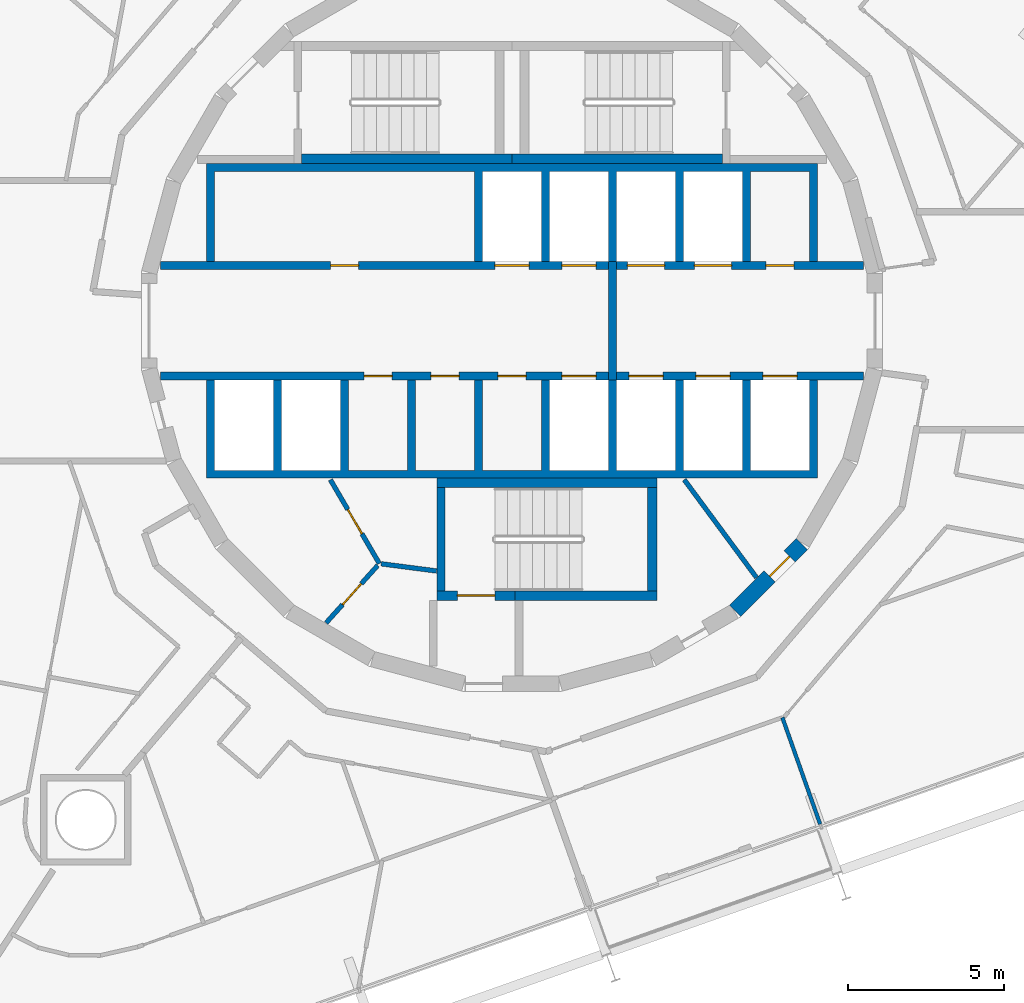
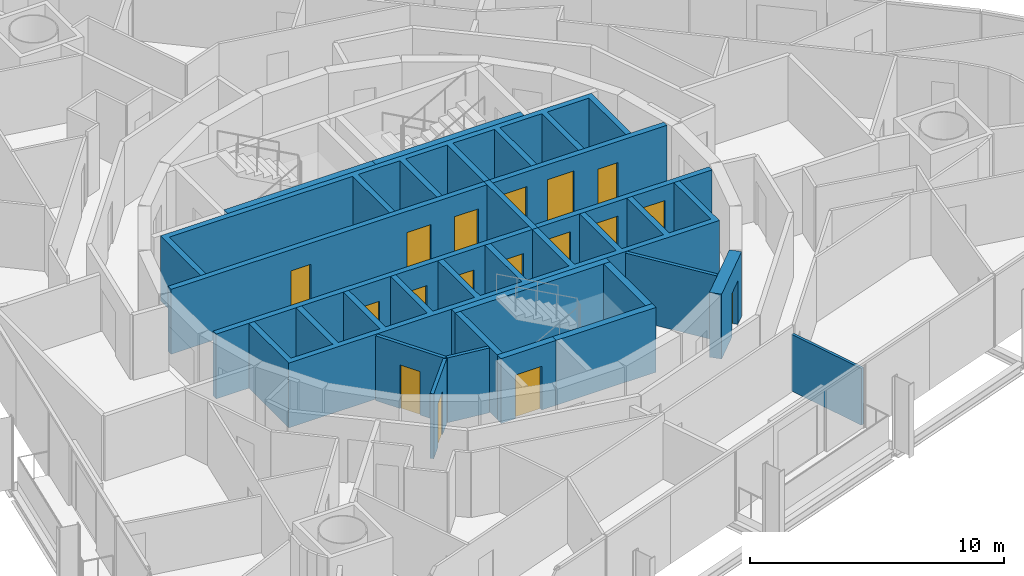
# One storey, part 12 of 17: 20 walls, 17 doors, 17 openings.
"""IFC4 building model written with IfcOpenShell, lengths in metres."""

from ifc_helpers import new_model, si_unit, direction, frame, frame_2d, origin, place, context, subcontext, project, spatial, polyline, rectangle, outline, extrude, material, layer, layer_set, type_object, element, fill, save


model = new_model("IFC4")

# Units and contexts
model_context = context("Model", 3, precision=1e-05, world=origin(), true_north=direction((0.0, 1.0)))
body_context = subcontext(model_context, "Body", "Model", "MODEL_VIEW")
ifc_project = project(units=[si_unit("LENGTHUNIT", "METRE"), si_unit("AREAUNIT", "SQUARE_METRE"), si_unit("VOLUMEUNIT", "CUBIC_METRE"), si_unit("PLANEANGLEUNIT", "RADIAN"), si_unit("MASSUNIT", "GRAM", prefix="KILO")], contexts=[model_context])

# Site, building, storey
site_placement = place(None, origin())
site = spatial("IfcSite", under=ifc_project, at=site_placement, CompositionType="ELEMENT")
building_placement = place(site_placement, origin())
building = spatial("IfcBuilding", under=site, at=building_placement, Name="Spindle Arch Residences", CompositionType="ELEMENT")
storey_placement = place(building_placement, frame((0.0, 0.0, 155.199951171875)))
storey = spatial("IfcBuildingStorey", under=building, at=storey_placement, Name="L38", CompositionType="ELEMENT", Elevation=155.199951171875)

# Wall, opening, door
ifc_material_1 = material(Name="Concrete C50/60", Category="concrete")
ifc_layer_1 = layer(ifc_material_1, 0.5)
ifc_layer_set_1 = layer_set([ifc_layer_1], Name="Core outline wall 500")
wall_type_1 = type_object("IfcWallType", Name="Core outline wall 500", PredefinedType="SHEAR", material=ifc_layer_set_1)
wall_1_placement = place(storey_placement, frame((7.163818359375, -9.30810546875, 0.0), z_axis=(0.0, 0.0, 1.0), x_axis=(0.707106781187, 0.707106781187, 0.0)))
wall_1 = element("IfcWall", 1, at=wall_1_placement, inside=storey, type_object=wall_type_1, Name="Core outline wall 3", PredefinedType="SHEAR", context=body_context, shape_type="SweptSolid", body=[
    extrude(rectangle(XDim=3.032470703125, YDim=0.5, at=frame_2d((1.51611328125, 0.0))), origin(), (0.0, 0.0, 1.0), 3.1201171875),
])
opening_1_placement = place(wall_1_placement, frame((1.56640625, 0.0, 0.0)))
opening_1 = element("IfcOpeningElement", 2, at=opening_1_placement, cuts=wall_1, Name="Opening R4A1-WD09", PredefinedType="OPENING", context=body_context, shape_type="SweptSolid", body=[
    extrude(rectangle(XDim=0.89990234375, YDim=2.10009765625, at=frame_2d((0.449951171875, 1.050048828125))), frame((0.0, 0.260009765625, 0.0), z_axis=(0.0, -1.0, 0.0), x_axis=(1.0, 0.0, 0.0)), (0.0, 0.0, 1.0), 0.52001953125),
])
ifc_material_2 = material(Name="Steel, fire-resisting door", Category="steel")
door_type_1 = type_object("IfcDoorType", Name="Service room door 900x2100", OperationType="SINGLE_SWING_LEFT", PredefinedType="DOOR", material=ifc_material_2)
door_1_placement = place(opening_1_placement, origin())
door_1 = element("IfcDoor", 3, at=door_1_placement, inside=storey, type_object=door_type_1, Name="Service room door R4A1-WD09", OperationType="SINGLE_SWING_LEFT", OverallHeight=2.10009765625, OverallWidth=0.89990234375, PredefinedType="DOOR", context=body_context, shape_type="SweptSolid", body=[
    extrude(rectangle(XDim=0.89990234375, YDim=2.10009765625, at=frame_2d((0.449951171875, 1.050048828125))), frame((0.0, 0.02490234375, 0.0), z_axis=(0.0, -1.0, 0.0), x_axis=(1.0, 0.0, 0.0)), (0.0, 0.0, 1.0), 0.050048828125),
])
fill(opening_1, door_1)

# Wall, openings, doors
ifc_material_3 = material(Name="Concrete C40/50", Category="concrete")
ifc_layer_2 = layer(ifc_material_3, 0.25)
ifc_layer_set_2 = layer_set([ifc_layer_2], Name="Fire-lift lobby wall 250")
wall_type_2 = type_object("IfcWallType", Name="Fire-lift lobby wall 250", PredefinedType="SHEAR", material=ifc_layer_set_2)
wall_2_placement = place(storey_placement, frame((3.35009765625, 1.77490234375, 0.0), z_axis=(0.0, 0.0, 1.0), x_axis=(1.0, 0.0, 0.0)))
wall_2 = element("IfcWall", 4, at=wall_2_placement, inside=storey, type_object=wall_type_2, Name="Lift shaft front wall NE", PredefinedType="SHEAR", context=body_context, shape_type="SweptSolid", body=[
    extrude(rectangle(XDim=7.929931640625, YDim=0.25, at=frame_2d((3.96484375, 0.0))), origin(), (0.0, 0.0, 1.0), 3.1201171875),
])
opening_2_placement = place(wall_2_placement, frame((0.35009765625, 0.0, 0.0)))
opening_2 = element("IfcOpeningElement", 5, at=opening_2_placement, cuts=wall_2, Name="Opening R4A1-SLD01", PredefinedType="OPENING", context=body_context, shape_type="SweptSolid", body=[
    extrude(rectangle(XDim=1.199951171875, YDim=2.39990234375, at=frame_2d((0.60009765625, 1.199951171875))), frame((0.0, 0.135009765625, 0.0), z_axis=(0.0, -1.0, 0.0), x_axis=(1.0, 0.0, 0.0)), (0.0, 0.0, 1.0), 0.27001953125),
])
opening_3_placement = place(wall_2_placement, frame((2.5, 0.0, 0.0)))
opening_3 = element("IfcOpeningElement", 6, at=opening_3_placement, cuts=wall_2, Name="Opening R4A1-SLD02", PredefinedType="OPENING", context=body_context, shape_type="SweptSolid", body=[
    extrude(rectangle(XDim=1.199951171875, YDim=2.39990234375, at=frame_2d((0.60009765625, 1.199951171875))), frame((0.0, 0.135009765625, 0.0), z_axis=(0.0, -1.0, 0.0), x_axis=(1.0, 0.0, 0.0)), (0.0, 0.0, 1.0), 0.27001953125),
])
opening_4_placement = place(wall_2_placement, frame((4.800048828125, 0.0, 0.0)))
opening_4 = element("IfcOpeningElement", 7, at=opening_4_placement, cuts=wall_2, Name="Opening R4A1-WD02", PredefinedType="OPENING", context=body_context, shape_type="SweptSolid", body=[
    extrude(rectangle(XDim=0.89990234375, YDim=2.10009765625, at=frame_2d((0.449951171875, 1.050048828125))), frame((0.0, 0.135009765625, 0.0), z_axis=(0.0, -1.0, 0.0), x_axis=(1.0, 0.0, 0.0)), (0.0, 0.0, 1.0), 0.27001953125),
])
ifc_material_4 = material(Name="Steel, fire-resisting landing door", Category="steel")
door_type_2 = type_object("IfcDoorType", Name="Service lift landing door 1200x2400", OperationType="DOUBLE_DOOR_SLIDING", PredefinedType="DOOR", material=ifc_material_4)
door_2_placement = place(opening_2_placement, origin())
door_2 = element("IfcDoor", 8, at=door_2_placement, inside=storey, type_object=door_type_2, Name="Service lift landing door R4A1-SLD01", OperationType="DOUBLE_DOOR_SLIDING", OverallHeight=2.39990234375, OverallWidth=1.199951171875, PredefinedType="DOOR", context=body_context, shape_type="SweptSolid", body=[
    extrude(rectangle(XDim=1.199951171875, YDim=2.39990234375, at=frame_2d((0.60009765625, 1.199951171875))), frame((0.0, 0.02490234375, 0.0), z_axis=(0.0, -1.0, 0.0), x_axis=(1.0, 0.0, 0.0)), (0.0, 0.0, 1.0), 0.050048828125),
])
fill(opening_2, door_2)
door_3_placement = place(opening_3_placement, origin())
door_3 = element("IfcDoor", 9, at=door_3_placement, inside=storey, type_object=door_type_2, Name="Service lift landing door R4A1-SLD02", OperationType="DOUBLE_DOOR_SLIDING", OverallHeight=2.39990234375, OverallWidth=1.199951171875, PredefinedType="DOOR", context=body_context, shape_type="SweptSolid", body=[
    extrude(rectangle(XDim=1.199951171875, YDim=2.39990234375, at=frame_2d((0.60009765625, 1.199951171875))), frame((0.0, 0.02490234375, 0.0), z_axis=(0.0, -1.0, 0.0), x_axis=(1.0, 0.0, 0.0)), (0.0, 0.0, 1.0), 0.050048828125),
])
fill(opening_3, door_3)
door_4_placement = place(opening_4_placement, origin())
door_4 = element("IfcDoor", 10, at=door_4_placement, inside=storey, type_object=door_type_1, Name="Service room door R4A1-WD02", OperationType="SINGLE_SWING_RIGHT", OverallHeight=2.10009765625, OverallWidth=0.89990234375, PredefinedType="DOOR", context=body_context, shape_type="SweptSolid", body=[
    extrude(rectangle(XDim=0.89990234375, YDim=2.10009765625, at=frame_2d((0.449951171875, 1.050048828125))), frame((0.0, 0.02490234375, 0.0), z_axis=(0.0, -1.0, 0.0), x_axis=(1.0, 0.0, 0.0)), (0.0, 0.0, 1.0), 0.050048828125),
])
fill(opening_4, door_4)

# Wall
wall_3_placement = place(storey_placement, frame((3.22509765625, -1.89990234375, 0.0), z_axis=(0.0, 0.0, 1.0), x_axis=(0.0, 1.0, 0.0)))
element("IfcWall", 11, at=wall_3_placement, inside=storey, type_object=wall_type_2, Name="Fire-fighting lobby partition", PredefinedType="SHEAR", context=body_context, shape_type="SweptSolid", body=[
    extrude(rectangle(XDim=3.7998046875, YDim=0.25, at=frame_2d((1.89990234375, 0.0))), origin(), (0.0, 0.0, 1.0), 3.1201171875),
])

# Wall, openings, doors
ifc_material_5 = material(Name="Concrete C50/60", Category="concrete")
ifc_layer_3 = layer(ifc_material_5, 0.25)
ifc_layer_set_3 = layer_set([ifc_layer_3], Name="Fire-lift shaft wall 250")
wall_type_3 = type_object("IfcWallType", Name="Fire-lift shaft wall 250", PredefinedType="SHEAR", material=ifc_layer_set_3)
wall_4_placement = place(storey_placement, frame((3.35009765625, -1.77490234375, 0.0), z_axis=(0.0, 0.0, 1.0), x_axis=(1.0, 0.0, 0.0)))
wall_4 = element("IfcWall", 12, at=wall_4_placement, inside=storey, type_object=wall_type_3, Name="Lift shaft front wall SE", PredefinedType="SHEAR", context=body_context, shape_type="SweptSolid", body=[
    extrude(rectangle(XDim=7.929931640625, YDim=0.25, at=frame_2d((3.96484375, 0.0))), origin(), (0.0, 0.0, 1.0), 3.1201171875),
])
opening_5_placement = place(wall_4_placement, frame((0.39990234375, 0.0, 0.0)))
opening_5 = element("IfcOpeningElement", 13, at=opening_5_placement, cuts=wall_4, Name="Opening R4A1-FLD01", PredefinedType="OPENING", context=body_context, shape_type="SweptSolid", body=[
    extrude(rectangle(XDim=1.10009765625, YDim=2.39990234375, at=frame_2d((0.550048828125, 1.199951171875))), frame((0.0, 0.135009765625, 0.0), z_axis=(0.0, -1.0, 0.0), x_axis=(1.0, 0.0, 0.0)), (0.0, 0.0, 1.0), 0.27001953125),
])
opening_6_placement = place(wall_4_placement, frame((2.550048828125, 0.0, 0.0)))
opening_6 = element("IfcOpeningElement", 14, at=opening_6_placement, cuts=wall_4, Name="Opening R4A1-FLD02", PredefinedType="OPENING", context=body_context, shape_type="SweptSolid", body=[
    extrude(rectangle(XDim=1.10009765625, YDim=2.39990234375, at=frame_2d((0.550048828125, 1.199951171875))), frame((0.0, 0.135009765625, 0.0), z_axis=(0.0, -1.0, 0.0), x_axis=(1.0, 0.0, 0.0)), (0.0, 0.0, 1.0), 0.27001953125),
])
opening_7_placement = place(wall_4_placement, frame((4.699951171875, 0.0, 0.0)))
opening_7 = element("IfcOpeningElement", 15, at=opening_7_placement, cuts=wall_4, Name="Opening R4A1-FLD03", PredefinedType="OPENING", context=body_context, shape_type="SweptSolid", body=[
    extrude(rectangle(XDim=1.10009765625, YDim=2.39990234375, at=frame_2d((0.550048828125, 1.199951171875))), frame((0.0, 0.135009765625, 0.0), z_axis=(0.0, -1.0, 0.0), x_axis=(1.0, 0.0, 0.0)), (0.0, 0.0, 1.0), 0.27001953125),
])
ifc_material_6 = material(Name="Steel, fire-resisting landing door", Category="steel")
door_type_3 = type_object("IfcDoorType", Name="Fire-fighting lift landing door 1100x2400", OperationType="DOUBLE_DOOR_SLIDING", PredefinedType="DOOR", material=ifc_material_6)
door_5_placement = place(opening_5_placement, origin())
door_5 = element("IfcDoor", 16, at=door_5_placement, inside=storey, type_object=door_type_3, Name="Fire-fighting lift landing door R4A1-FLD01", OperationType="DOUBLE_DOOR_SLIDING", OverallHeight=2.39990234375, OverallWidth=1.10009765625, PredefinedType="DOOR", context=body_context, shape_type="SweptSolid", body=[
    extrude(rectangle(XDim=1.10009765625, YDim=2.39990234375, at=frame_2d((0.550048828125, 1.199951171875))), frame((0.0, 0.02490234375, 0.0), z_axis=(0.0, -1.0, 0.0), x_axis=(1.0, 0.0, 0.0)), (0.0, 0.0, 1.0), 0.050048828125),
])
fill(opening_5, door_5)
door_6_placement = place(opening_6_placement, origin())
door_6 = element("IfcDoor", 17, at=door_6_placement, inside=storey, type_object=door_type_3, Name="Fire-fighting lift landing door R4A1-FLD02", OperationType="DOUBLE_DOOR_SLIDING", OverallHeight=2.39990234375, OverallWidth=1.10009765625, PredefinedType="DOOR", context=body_context, shape_type="SweptSolid", body=[
    extrude(rectangle(XDim=1.10009765625, YDim=2.39990234375, at=frame_2d((0.550048828125, 1.199951171875))), frame((0.0, 0.02490234375, 0.0), z_axis=(0.0, -1.0, 0.0), x_axis=(1.0, 0.0, 0.0)), (0.0, 0.0, 1.0), 0.050048828125),
])
fill(opening_6, door_6)
door_7_placement = place(opening_7_placement, origin())
door_7 = element("IfcDoor", 18, at=door_7_placement, inside=storey, type_object=door_type_3, Name="Fire-fighting lift landing door R4A1-FLD03", OperationType="DOUBLE_DOOR_SLIDING", OverallHeight=2.39990234375, OverallWidth=1.10009765625, PredefinedType="DOOR", context=body_context, shape_type="SweptSolid", body=[
    extrude(rectangle(XDim=1.10009765625, YDim=2.39990234375, at=frame_2d((0.550048828125, 1.199951171875))), frame((0.0, 0.02490234375, 0.0), z_axis=(0.0, -1.0, 0.0), x_axis=(1.0, 0.0, 0.0)), (0.0, 0.0, 1.0), 0.050048828125),
])
fill(opening_7, door_7)

# Wall
ifc_material_7 = material(Name="Plasterboard on steel studs", Category="steel")
ifc_layer_4 = layer(ifc_material_7, 0.1201171875)
ifc_layer_set_4 = layer_set([ifc_layer_4], Name="Flat partition 120 under beam 2730")
wall_type_4 = type_object("IfcWallType", Name="Flat partition 120 under beam 2730", PredefinedType="PARTITIONING", material=ifc_layer_set_4)
wall_5_placement = place(storey_placement, frame((9.89111328125, -16.157958984375, 0.0), z_axis=(0.0, 0.0, 1.0), x_axis=(-0.33385336213, 0.942625022262, 0.0)))
element("IfcWall", 19, at=wall_5_placement, inside=storey, type_object=wall_type_4, Name="Flat partition R4A1-W117", PredefinedType="PARTITIONING", context=body_context, shape_type="SweptSolid", body=[
    extrude(rectangle(XDim=3.633056640625, YDim=0.1201171875, at=frame_2d((1.81640625, 0.0))), origin(), (0.0, 0.0, 1.0), 2.72998046875),
])

# Wall, openings, doors
ifc_material_8 = material(Name="Concrete C50/60", Category="concrete")
ifc_layer_5 = layer(ifc_material_8, 0.25)
ifc_layer_set_5 = layer_set([ifc_layer_5], Name="Lift shaft wall 250")
wall_type_5 = type_object("IfcWallType", Name="Lift shaft wall 250", PredefinedType="SHEAR", material=ifc_layer_set_5)
wall_6_placement = place(storey_placement, frame((-11.280029296875, 1.77490234375, 0.0), z_axis=(0.0, 0.0, 1.0), x_axis=(1.0, 0.0, 0.0)))
wall_6 = element("IfcWall", 20, at=wall_6_placement, inside=storey, type_object=wall_type_5, Name="Lift shaft front wall NW", PredefinedType="SHEAR", context=body_context, shape_type="SweptSolid", body=[
    extrude(rectangle(XDim=14.380126953125, YDim=0.25, at=frame_2d((7.18994140625, 0.0))), origin(), (0.0, 0.0, 1.0), 3.1201171875),
])
opening_8_placement = place(wall_6_placement, frame((10.72998046875, 0.0, 0.0)))
opening_8 = element("IfcOpeningElement", 21, at=opening_8_placement, cuts=wall_6, Name="Opening R4A1-LD01", PredefinedType="OPENING", context=body_context, shape_type="SweptSolid", body=[
    extrude(rectangle(XDim=1.10009765625, YDim=2.10009765625, at=frame_2d((0.550048828125, 1.050048828125))), frame((0.0, 0.135009765625, 0.0), z_axis=(0.0, -1.0, 0.0), x_axis=(1.0, 0.0, 0.0)), (0.0, 0.0, 1.0), 0.27001953125),
])
opening_9_placement = place(wall_6_placement, frame((12.8798828125, 0.0, 0.0)))
opening_9 = element("IfcOpeningElement", 22, at=opening_9_placement, cuts=wall_6, Name="Opening R4A1-LD02", PredefinedType="OPENING", context=body_context, shape_type="SweptSolid", body=[
    extrude(rectangle(XDim=1.10009765625, YDim=2.10009765625, at=frame_2d((0.550048828125, 1.050048828125))), frame((0.0, 0.135009765625, 0.0), z_axis=(0.0, -1.0, 0.0), x_axis=(1.0, 0.0, 0.0)), (0.0, 0.0, 1.0), 0.27001953125),
])
opening_10_placement = place(wall_6_placement, frame((5.455078125, 0.0, 0.0)))
opening_10 = element("IfcOpeningElement", 23, at=opening_10_placement, cuts=wall_6, Name="Opening R4A1-WD01", PredefinedType="OPENING", context=body_context, shape_type="SweptSolid", body=[
    extrude(rectangle(XDim=0.89990234375, YDim=2.10009765625, at=frame_2d((0.449951171875, 1.050048828125))), frame((0.0, 0.135009765625, 0.0), z_axis=(0.0, -1.0, 0.0), x_axis=(1.0, 0.0, 0.0)), (0.0, 0.0, 1.0), 0.27001953125),
])
ifc_material_9 = material(Name="Steel, fire-resisting landing door", Category="steel")
door_type_4 = type_object("IfcDoorType", Name="Lift landing door 1100x2100", OperationType="DOUBLE_DOOR_SLIDING", PredefinedType="DOOR", material=ifc_material_9)
door_8_placement = place(opening_8_placement, origin())
door_8 = element("IfcDoor", 24, at=door_8_placement, inside=storey, type_object=door_type_4, Name="Lift landing door R4A1-LD01", OperationType="DOUBLE_DOOR_SLIDING", OverallHeight=2.10009765625, OverallWidth=1.10009765625, PredefinedType="DOOR", context=body_context, shape_type="SweptSolid", body=[
    extrude(rectangle(XDim=1.10009765625, YDim=2.10009765625, at=frame_2d((0.550048828125, 1.050048828125))), frame((0.0, 0.02490234375, 0.0), z_axis=(0.0, -1.0, 0.0), x_axis=(1.0, 0.0, 0.0)), (0.0, 0.0, 1.0), 0.050048828125),
])
fill(opening_8, door_8)
door_9_placement = place(opening_9_placement, origin())
door_9 = element("IfcDoor", 25, at=door_9_placement, inside=storey, type_object=door_type_4, Name="Lift landing door R4A1-LD02", OperationType="DOUBLE_DOOR_SLIDING", OverallHeight=2.10009765625, OverallWidth=1.10009765625, PredefinedType="DOOR", context=body_context, shape_type="SweptSolid", body=[
    extrude(rectangle(XDim=1.10009765625, YDim=2.10009765625, at=frame_2d((0.550048828125, 1.050048828125))), frame((0.0, 0.02490234375, 0.0), z_axis=(0.0, -1.0, 0.0), x_axis=(1.0, 0.0, 0.0)), (0.0, 0.0, 1.0), 0.050048828125),
])
fill(opening_9, door_9)
door_10_placement = place(opening_10_placement, origin())
door_10 = element("IfcDoor", 26, at=door_10_placement, inside=storey, type_object=door_type_1, Name="Service room door R4A1-WD01", OperationType="SINGLE_SWING_LEFT", OverallHeight=2.10009765625, OverallWidth=0.89990234375, PredefinedType="DOOR", context=body_context, shape_type="SweptSolid", body=[
    extrude(rectangle(XDim=0.89990234375, YDim=2.10009765625, at=frame_2d((0.449951171875, 1.050048828125))), frame((0.0, 0.02490234375, 0.0), z_axis=(0.0, -1.0, 0.0), x_axis=(1.0, 0.0, 0.0)), (0.0, 0.0, 1.0), 0.050048828125),
])
fill(opening_10, door_10)

wall_7_placement = place(storey_placement, frame((-11.280029296875, -1.77490234375, 0.0), z_axis=(0.0, 0.0, 1.0), x_axis=(1.0, 0.0, 0.0)))
wall_7 = element("IfcWall", 27, at=wall_7_placement, inside=storey, type_object=wall_type_5, Name="Lift shaft front wall SW", PredefinedType="SHEAR", context=body_context, shape_type="SweptSolid", body=[
    extrude(rectangle(XDim=14.380126953125, YDim=0.25, at=frame_2d((7.18994140625, 0.0))), origin(), (0.0, 0.0, 1.0), 3.1201171875),
])
opening_11_placement = place(wall_7_placement, frame((12.8798828125, 0.0, 0.0)))
opening_11 = element("IfcOpeningElement", 28, at=opening_11_placement, cuts=wall_7, Name="Opening R4A1-LD03", PredefinedType="OPENING", context=body_context, shape_type="SweptSolid", body=[
    extrude(rectangle(XDim=1.10009765625, YDim=2.10009765625, at=frame_2d((0.550048828125, 1.050048828125))), frame((0.0, 0.135009765625, 0.0), z_axis=(0.0, -1.0, 0.0), x_axis=(1.0, 0.0, 0.0)), (0.0, 0.0, 1.0), 0.27001953125),
])
opening_12_placement = place(wall_7_placement, frame((6.530029296875, 0.0, 0.0)))
opening_12 = element("IfcOpeningElement", 29, at=opening_12_placement, cuts=wall_7, Name="Opening R4A1-WD03", PredefinedType="OPENING", context=body_context, shape_type="SweptSolid", body=[
    extrude(rectangle(XDim=0.89990234375, YDim=2.10009765625, at=frame_2d((0.449951171875, 1.050048828125))), frame((0.0, 0.135009765625, 0.0), z_axis=(0.0, -1.0, 0.0), x_axis=(1.0, 0.0, 0.0)), (0.0, 0.0, 1.0), 0.27001953125),
])
opening_13_placement = place(wall_7_placement, frame((8.679931640625, 0.0, 0.0)))
opening_13 = element("IfcOpeningElement", 30, at=opening_13_placement, cuts=wall_7, Name="Opening R4A1-WD04", PredefinedType="OPENING", context=body_context, shape_type="SweptSolid", body=[
    extrude(rectangle(XDim=0.89990234375, YDim=2.10009765625, at=frame_2d((0.449951171875, 1.050048828125))), frame((0.0, 0.135009765625, 0.0), z_axis=(0.0, -1.0, 0.0), x_axis=(1.0, 0.0, 0.0)), (0.0, 0.0, 1.0), 0.27001953125),
])
opening_14_placement = place(wall_7_placement, frame((10.830078125, 0.0, 0.0)))
opening_14 = element("IfcOpeningElement", 31, at=opening_14_placement, cuts=wall_7, Name="Opening R4A1-WD05", PredefinedType="OPENING", context=body_context, shape_type="SweptSolid", body=[
    extrude(rectangle(XDim=0.89990234375, YDim=2.10009765625, at=frame_2d((0.449951171875, 1.050048828125))), frame((0.0, 0.135009765625, 0.0), z_axis=(0.0, -1.0, 0.0), x_axis=(1.0, 0.0, 0.0)), (0.0, 0.0, 1.0), 0.27001953125),
])
door_11_placement = place(opening_11_placement, origin())
door_11 = element("IfcDoor", 32, at=door_11_placement, inside=storey, type_object=door_type_4, Name="Lift landing door R4A1-LD03", OperationType="DOUBLE_DOOR_SLIDING", OverallHeight=2.10009765625, OverallWidth=1.10009765625, PredefinedType="DOOR", context=body_context, shape_type="SweptSolid", body=[
    extrude(rectangle(XDim=1.10009765625, YDim=2.10009765625, at=frame_2d((0.550048828125, 1.050048828125))), frame((0.0, 0.02490234375, 0.0), z_axis=(0.0, -1.0, 0.0), x_axis=(1.0, 0.0, 0.0)), (0.0, 0.0, 1.0), 0.050048828125),
])
fill(opening_11, door_11)
door_12_placement = place(opening_12_placement, origin())
door_12 = element("IfcDoor", 33, at=door_12_placement, inside=storey, type_object=door_type_1, Name="Service room door R4A1-WD03", OperationType="SINGLE_SWING_LEFT", OverallHeight=2.10009765625, OverallWidth=0.89990234375, PredefinedType="DOOR", context=body_context, shape_type="SweptSolid", body=[
    extrude(rectangle(XDim=0.89990234375, YDim=2.10009765625, at=frame_2d((0.449951171875, 1.050048828125))), frame((0.0, 0.02490234375, 0.0), z_axis=(0.0, -1.0, 0.0), x_axis=(1.0, 0.0, 0.0)), (0.0, 0.0, 1.0), 0.050048828125),
])
fill(opening_12, door_12)
door_13_placement = place(opening_13_placement, origin())
door_13 = element("IfcDoor", 34, at=door_13_placement, inside=storey, type_object=door_type_1, Name="Service room door R4A1-WD04", OperationType="SINGLE_SWING_RIGHT", OverallHeight=2.10009765625, OverallWidth=0.89990234375, PredefinedType="DOOR", context=body_context, shape_type="SweptSolid", body=[
    extrude(rectangle(XDim=0.89990234375, YDim=2.10009765625, at=frame_2d((0.449951171875, 1.050048828125))), frame((0.0, 0.02490234375, 0.0), z_axis=(0.0, -1.0, 0.0), x_axis=(1.0, 0.0, 0.0)), (0.0, 0.0, 1.0), 0.050048828125),
])
fill(opening_13, door_13)
door_14_placement = place(opening_14_placement, origin())
door_14 = element("IfcDoor", 35, at=door_14_placement, inside=storey, type_object=door_type_1, Name="Service room door R4A1-WD05", OperationType="SINGLE_SWING_LEFT", OverallHeight=2.10009765625, OverallWidth=0.89990234375, PredefinedType="DOOR", context=body_context, shape_type="SweptSolid", body=[
    extrude(rectangle(XDim=0.89990234375, YDim=2.10009765625, at=frame_2d((0.449951171875, 1.050048828125))), frame((0.0, 0.02490234375, 0.0), z_axis=(0.0, -1.0, 0.0), x_axis=(1.0, 0.0, 0.0)), (0.0, 0.0, 1.0), 0.050048828125),
])
fill(opening_14, door_14)

# Walls
ifc_material_10 = material(Name="Concrete C50/60", Category="concrete")
wall_type_6 = type_object("IfcWallType", Name="Lift shaft wall profile", PredefinedType="SHEAR", material=ifc_material_10)
wall_8_placement = place(storey_placement, origin())
element("IfcWall", 36, at=wall_8_placement, inside=storey, type_object=wall_type_6, Name="Lift shaft walls N", PredefinedType="SHEAR", context=body_context, shape_type="SweptSolid", body=[
    extrude(outline(polyline([(-9.550048828125, 4.800048828125), (-1.199951171875, 4.800048828125), (-1.199951171875, 1.89990234375), (-0.949951171875, 1.89990234375), (-0.949951171875, 4.800048828125), (0.949951171875, 4.800048828125), (0.949951171875, 1.89990234375), (1.199951171875, 1.89990234375), (1.199951171875, 4.800048828125), (3.10009765625, 4.800048828125), (3.10009765625, 1.89990234375), (3.35009765625, 1.89990234375), (3.35009765625, 4.800048828125), (5.25, 4.800048828125), (5.25, 1.89990234375), (5.5, 1.89990234375), (5.5, 4.800048828125), (7.39990234375, 4.800048828125), (7.39990234375, 1.89990234375), (7.64990234375, 1.89990234375), (7.64990234375, 4.800048828125), (9.550048828125, 4.800048828125), (9.550048828125, 1.89990234375), (9.800048828125, 1.89990234375), (9.800048828125, 4.800048828125), (9.800048828125, 5.050048828125), (-9.800048828125, 5.050048828125), (-9.800048828125, 4.800048828125), (-9.800048828125, 1.89990234375), (-9.550048828125, 1.89990234375), (-9.550048828125, 4.800048828125)])), origin(), (0.0, 0.0, 1.0), 3.1201171875),
])
wall_9_placement = place(storey_placement, origin())
element("IfcWall", 37, at=wall_9_placement, inside=storey, type_object=wall_type_6, Name="Lift shaft walls S", PredefinedType="SHEAR", context=body_context, shape_type="SweptSolid", body=[
    extrude(outline(polyline([(9.800048828125, -5.050048828125), (9.800048828125, -4.800048828125), (9.800048828125, -1.89990234375), (9.550048828125, -1.89990234375), (9.550048828125, -4.800048828125), (7.64990234375, -4.800048828125), (7.64990234375, -1.89990234375), (7.39990234375, -1.89990234375), (7.39990234375, -4.800048828125), (5.5, -4.800048828125), (5.5, -1.89990234375), (5.25, -1.89990234375), (5.25, -4.800048828125), (3.35009765625, -4.800048828125), (3.35009765625, -1.89990234375), (3.10009765625, -1.89990234375), (3.10009765625, -4.800048828125), (1.199951171875, -4.800048828125), (1.199951171875, -1.89990234375), (0.949951171875, -1.89990234375), (0.949951171875, -4.800048828125), (-0.949951171875, -4.800048828125), (-0.949951171875, -1.89990234375), (-1.199951171875, -1.89990234375), (-1.199951171875, -4.800048828125), (-3.10009765625, -4.800048828125), (-3.10009765625, -1.89990234375), (-3.35009765625, -1.89990234375), (-3.35009765625, -4.800048828125), (-5.25, -4.800048828125), (-5.25, -1.89990234375), (-5.5, -1.89990234375), (-5.5, -4.800048828125), (-7.39990234375, -4.800048828125), (-7.39990234375, -1.89990234375), (-7.64990234375, -1.89990234375), (-7.64990234375, -4.800048828125), (-9.550048828125, -4.800048828125), (-9.550048828125, -1.89990234375), (-9.800048828125, -1.89990234375), (-9.800048828125, -4.800048828125), (-9.800048828125, -5.050048828125), (9.800048828125, -5.050048828125)])), origin(), (0.0, 0.0, 1.0), 3.1201171875),
])
ifc_material_11 = material(Name="Concrete C25/30", Category="concrete")
ifc_layer_6 = layer(ifc_material_11, 0.14990234375)
ifc_layer_set_6 = layer_set([ifc_layer_6], Name="Service room partition 150")
wall_type_7 = type_object("IfcWallType", Name="Service room partition 150", PredefinedType="PARTITIONING", material=ifc_layer_set_6)
wall_10_placement = place(storey_placement, frame((5.528076171875, -5.098388671875, 0.0), z_axis=(0.0, 0.0, 1.0), x_axis=(0.594034318069, -0.804439698769, 0.0)))
element("IfcWall", 38, at=wall_10_placement, inside=storey, type_object=wall_type_7, Name="Core service room partition", PredefinedType="PARTITIONING", context=body_context, shape_type="SweptSolid", body=[
    extrude(rectangle(XDim=3.90673828125, YDim=0.14990234375, at=frame_2d((1.953369140625, 0.0))), origin(), (0.0, 0.0, 1.0), 3.1201171875),
])

# Wall, opening, door
wall_11_placement = place(storey_placement, frame((-5.8291015625, -5.101806640625, 0.0), z_axis=(0.0, 0.0, 1.0), x_axis=(0.504480008384, -0.863423373057, 0.0)))
wall_11 = element("IfcWall", 39, at=wall_11_placement, inside=storey, type_object=wall_type_7, Name="Core service room partition", PredefinedType="PARTITIONING", context=body_context, shape_type="SweptSolid", body=[
    extrude(rectangle(XDim=3.115234375, YDim=0.14990234375, at=frame_2d((1.5576171875, 0.0))), origin(), (0.0, 0.0, 1.0), 3.1201171875),
])
opening_15_placement = place(wall_11_placement, frame((1.107421875, 0.0, 0.0)))
opening_15 = element("IfcOpeningElement", 40, at=opening_15_placement, cuts=wall_11, Name="Opening R4A1-WD07", PredefinedType="OPENING", context=body_context, shape_type="SweptSolid", body=[
    extrude(rectangle(XDim=0.89990234375, YDim=2.10009765625, at=frame_2d((0.449951171875, 1.050048828125))), frame((0.0, 0.0849609375, 0.0), z_axis=(0.0, -1.0, 0.0), x_axis=(1.0, 0.0, 0.0)), (0.0, 0.0, 1.0), 0.169921875),
])
door_15_placement = place(opening_15_placement, origin())
door_15 = element("IfcDoor", 41, at=door_15_placement, inside=storey, type_object=door_type_1, Name="Service room door R4A1-WD07", OperationType="SINGLE_SWING_LEFT", OverallHeight=2.10009765625, OverallWidth=0.89990234375, PredefinedType="DOOR", context=body_context, shape_type="SweptSolid", body=[
    extrude(rectangle(XDim=0.89990234375, YDim=2.10009765625, at=frame_2d((0.449951171875, 1.050048828125))), frame((0.0, 0.02490234375, 0.0), z_axis=(0.0, -1.0, 0.0), x_axis=(1.0, 0.0, 0.0)), (0.0, 0.0, 1.0), 0.050048828125),
])
fill(opening_15, door_15)

wall_12_placement = place(storey_placement, frame((-4.310791015625, -7.85107421875, 0.0), z_axis=(0.0, 0.0, 1.0), x_axis=(-0.667869133096, -0.744278725383, 0.0)))
wall_12 = element("IfcWall", 42, at=wall_12_placement, inside=storey, type_object=wall_type_7, Name="Core service room partition", PredefinedType="PARTITIONING", context=body_context, shape_type="SweptSolid", body=[
    extrude(rectangle(XDim=2.476318359375, YDim=0.14990234375, at=frame_2d((1.23828125, 0.0))), origin(), (0.0, 0.0, 1.0), 3.1201171875),
])
opening_16_placement = place(wall_12_placement, frame((0.7880859375, 0.0, 0.0)))
opening_16 = element("IfcOpeningElement", 43, at=opening_16_placement, cuts=wall_12, Name="Opening R4A1-WD06", PredefinedType="OPENING", context=body_context, shape_type="SweptSolid", body=[
    extrude(rectangle(XDim=0.89990234375, YDim=2.10009765625, at=frame_2d((0.449951171875, 1.050048828125))), frame((0.0, 0.0849609375, 0.0), z_axis=(0.0, -1.0, 0.0), x_axis=(1.0, 0.0, 0.0)), (0.0, 0.0, 1.0), 0.169921875),
])
door_16_placement = place(opening_16_placement, origin())
door_16 = element("IfcDoor", 44, at=door_16_placement, inside=storey, type_object=door_type_1, Name="Service room door R4A1-WD06", OperationType="SINGLE_SWING_RIGHT", OverallHeight=2.10009765625, OverallWidth=0.89990234375, PredefinedType="DOOR", context=body_context, shape_type="SweptSolid", body=[
    extrude(rectangle(XDim=0.89990234375, YDim=2.10009765625, at=frame_2d((0.449951171875, 1.050048828125))), frame((0.0, 0.02490234375, 0.0), z_axis=(0.0, -1.0, 0.0), x_axis=(1.0, 0.0, 0.0)), (0.0, 0.0, 1.0), 0.050048828125),
])
fill(opening_16, door_16)

# Walls
wall_13_placement = place(storey_placement, frame((-4.197998046875, -7.79931640625, 0.0), z_axis=(0.0, 0.0, 1.0), x_axis=(0.991686747293, -0.128675542523, 0.0)))
element("IfcWall", 45, at=wall_13_placement, inside=storey, type_object=wall_type_7, Name="Core service room partition", PredefinedType="PARTITIONING", context=body_context, shape_type="SweptSolid", body=[
    extrude(rectangle(XDim=1.79296875, YDim=0.14990234375, at=frame_2d((0.896484375, 0.0))), origin(), (0.0, 0.0, 1.0), 3.1201171875),
])
ifc_material_12 = material(Name="Concrete C50/60", Category="concrete")
ifc_layer_7 = layer(ifc_material_12, 0.25)
ifc_layer_set_7 = layer_set([ifc_layer_7], Name="Stair enclosure wall 250")
wall_type_8 = type_object("IfcWallType", Name="Stair enclosure wall 250", PredefinedType="SHEAR", material=ifc_layer_set_7)
wall_14_placement = place(storey_placement, frame((-2.27490234375, -8.669921875, 0.0), z_axis=(0.0, 0.0, 1.0), x_axis=(0.0, 1.0, 0.0)))
element("IfcWall", 46, at=wall_14_placement, inside=storey, type_object=wall_type_8, Name="Stair ST-3 enclosure wall W", PredefinedType="SHEAR", context=body_context, shape_type="SweptSolid", body=[
    extrude(rectangle(XDim=3.31982421875, YDim=0.25, at=frame_2d((1.659912109375, 0.0))), origin(), (0.0, 0.0, 1.0), 3.1201171875),
])
ifc_material_13 = material(Name="Concrete C50/60", Category="concrete")
ifc_layer_8 = layer(ifc_material_13, 0.300048828125)
ifc_layer_set_8 = layer_set([ifc_layer_8], Name="Stair enclosure wall 300")
wall_type_9 = type_object("IfcWallType", Name="Stair enclosure wall 300", PredefinedType="SHEAR", material=ifc_layer_set_8)
for number, where, z_axis, x_axis, name in (
    (47, (0.0, 5.199951171875, 0.0), (0.0, 0.0, 1.0), (1.0, 0.0, 0.0), "Stair ST-1 enclosure wall S"),
    (48, (-6.75, 5.199951171875, 0.0), (0.0, 0.0, 1.0), (1.0, 0.0, 0.0), "Stair ST-2 enclosure wall S"),
):
    element("IfcWall", number, at=place(storey_placement, frame(where, z_axis=z_axis, x_axis=x_axis)), inside=storey, type_object=wall_type_9, Name=name, PredefinedType="SHEAR", context=body_context, shape_type="SweptSolid", body=[
        extrude(rectangle(XDim=6.75, YDim=0.300048828125, at=frame_2d((3.375, 0.0))), origin(), (0.0, 0.0, 1.0), 3.1201171875),
    ])
wall_15_placement = place(storey_placement, frame((-2.39990234375, -5.199951171875, 0.0), z_axis=(0.0, 0.0, 1.0), x_axis=(1.0, 0.0, 0.0)))
element("IfcWall", 49, at=wall_15_placement, inside=storey, type_object=wall_type_9, Name="Stair ST-3 enclosure wall N", PredefinedType="SHEAR", context=body_context, shape_type="SweptSolid", body=[
    extrude(rectangle(XDim=7.0498046875, YDim=0.300048828125, at=frame_2d((3.52490234375, 0.0))), origin(), (0.0, 0.0, 1.0), 3.1201171875),
])
wall_16_placement = place(storey_placement, frame((4.5, -8.669921875, 0.0), z_axis=(0.0, 0.0, 1.0), x_axis=(0.0, 1.0, 0.0)))
element("IfcWall", 50, at=wall_16_placement, inside=storey, type_object=wall_type_9, Name="Stair ST-3 enclosure wall E", PredefinedType="SHEAR", context=body_context, shape_type="SweptSolid", body=[
    extrude(rectangle(XDim=3.31982421875, YDim=0.300048828125, at=frame_2d((1.659912109375, 0.0))), origin(), (0.0, 0.0, 1.0), 3.1201171875),
])
wall_17_placement = place(storey_placement, frame((0.10009765625, -8.820068359375, 0.0), z_axis=(0.0, 0.0, 1.0), x_axis=(1.0, 0.0, 0.0)))
element("IfcWall", 51, at=wall_17_placement, inside=storey, type_object=wall_type_9, Name="Stair ST-3 enclosure wall S", PredefinedType="SHEAR", context=body_context, shape_type="SweptSolid", body=[
    extrude(rectangle(XDim=4.5498046875, YDim=0.300048828125, at=frame_2d((2.27490234375, 0.0))), origin(), (0.0, 0.0, 1.0), 3.1201171875),
])

# Wall, opening, door
wall_18_placement = place(storey_placement, frame((-2.39990234375, -8.820068359375, 0.0), z_axis=(0.0, 0.0, 1.0), x_axis=(1.0, 0.0, 0.0)))
wall_18 = element("IfcWall", 52, at=wall_18_placement, inside=storey, type_object=wall_type_9, Name="Stair ST-3 door wall", PredefinedType="SHEAR", context=body_context, shape_type="SweptSolid", body=[
    extrude(rectangle(XDim=2.5, YDim=0.300048828125, at=frame_2d((1.25, 0.0))), origin(), (0.0, 0.0, 1.0), 3.1201171875),
])
opening_17_placement = place(wall_18_placement, frame((0.64990234375, 0.0, 0.0)))
opening_17 = element("IfcOpeningElement", 53, at=opening_17_placement, cuts=wall_18, Name="Opening R4A1-SD03", PredefinedType="OPENING", context=body_context, shape_type="SweptSolid", body=[
    extrude(rectangle(XDim=1.199951171875, YDim=2.10009765625, at=frame_2d((0.60009765625, 1.050048828125))), frame((0.0, 0.16015625, 0.0), z_axis=(0.0, -1.0, 0.0), x_axis=(1.0, 0.0, 0.0)), (0.0, 0.0, 1.0), 0.320068359375),
])
ifc_material_14 = material(Name="Steel, fire-resisting door", Category="steel")
door_type_5 = type_object("IfcDoorType", Name="Stair door 1200x2100", OperationType="SINGLE_SWING_RIGHT", PredefinedType="DOOR", material=ifc_material_14)
door_17_placement = place(opening_17_placement, origin())
door_17 = element("IfcDoor", 54, at=door_17_placement, inside=storey, type_object=door_type_5, Name="Stair door R4A1-SD03", OperationType="SINGLE_SWING_LEFT", OverallHeight=2.10009765625, OverallWidth=1.199951171875, PredefinedType="DOOR", context=body_context, shape_type="SweptSolid", body=[
    extrude(rectangle(XDim=1.199951171875, YDim=2.10009765625, at=frame_2d((0.60009765625, 1.050048828125))), frame((0.0, 0.02490234375, 0.0), z_axis=(0.0, -1.0, 0.0), x_axis=(1.0, 0.0, 0.0)), (0.0, 0.0, 1.0), 0.050048828125),
])
fill(opening_17, door_17)

save(model, "model.ifc")
